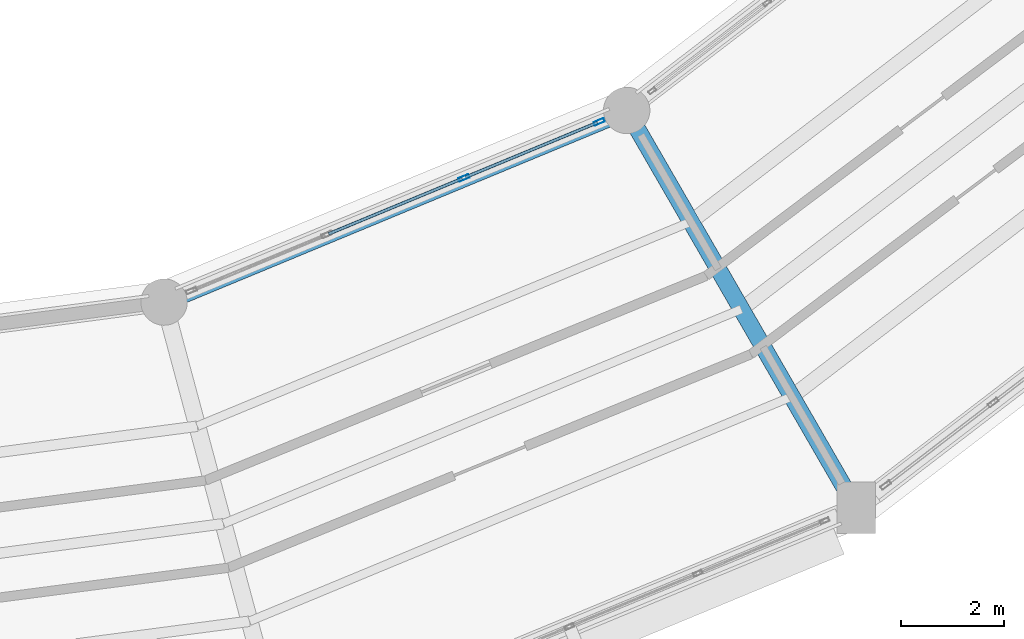
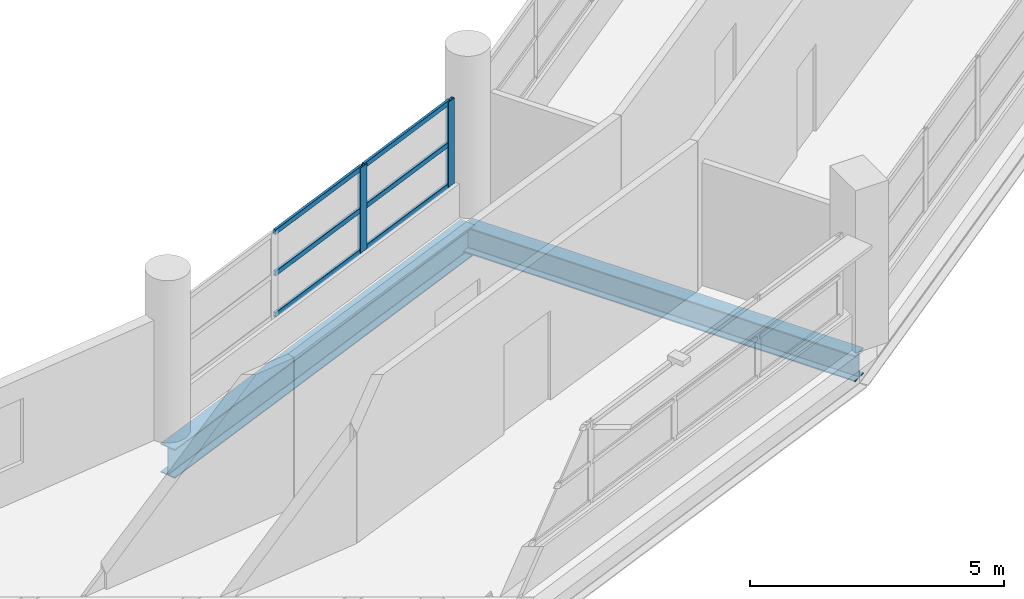
# One storey, part 42 of 108: 8 members, 2 beams, 1 element without a shape of its own.
"""IFC4 building model written with IfcOpenShell, lengths in metres."""

from ifc_helpers import new_model, si_unit, direction, frame, origin, origin_2d, place, context, subcontext, project, spatial, hollow_rectangle, i_section, extrude, material, layer, layer_set, material_profile, profile_set, type_object, element, aggregate, save


model = new_model("IFC4")

# Units and contexts
model_context = context("Model", 3, precision=1e-05, world=origin(), true_north=direction((0.0, 1.0)))
body_context = subcontext(model_context, "Body", "Model", "MODEL_VIEW")
ifc_project = project(units=[si_unit("LENGTHUNIT", "METRE"), si_unit("AREAUNIT", "SQUARE_METRE"), si_unit("VOLUMEUNIT", "CUBIC_METRE"), si_unit("PLANEANGLEUNIT", "RADIAN"), si_unit("MASSUNIT", "GRAM", prefix="KILO")], contexts=[model_context])

# Site, building, storey
site_placement = place(None, origin())
site = spatial("IfcSite", under=ifc_project, at=site_placement, CompositionType="ELEMENT")
building_placement = place(site_placement, origin())
building = spatial("IfcBuilding", under=site, at=building_placement, Name="Vespera Passage Community Centre", CompositionType="ELEMENT")
storey_placement = place(building_placement, frame((0.0, 0.0, 12.60009765625)))
storey = spatial("IfcBuildingStorey", under=building, at=storey_placement, Name="L03", CompositionType="ELEMENT", Elevation=12.60009765625)

# Beams
ifc_material_1 = material(Name="Steel ASTM A992 Grade 50", Category="steel")
ifc_material_profile_1 = material_profile(ifc_material_1, i_section(OverallWidth=0.32763671875, OverallDepth=0.62841796875, WebThickness=0.0166015625, FlangeThickness=0.027587890625, FilletRadius=0.0126953125, at=origin_2d()), Name="W24X146")
ifc_profile_set_1 = profile_set([ifc_material_profile_1], Name="Steel ASTM A992 Grade 50")
beam_type_1 = type_object("IfcBeamType", Name="BM-G-W24X146", PredefinedType="BEAM", material=ifc_profile_set_1)
beam_1_placement = place(storey_placement, frame((96.60009765625, 33.283935546875, -0.71435546875), z_axis=(0.499989191739, -0.866031643847, 0.0), x_axis=(0.866031643847, 0.499989191739, 0.0)))
element("IfcBeam", 1, at=beam_1_placement, inside=storey, type_object=beam_type_1, Name="V4 L03 Radial Girder 20", PredefinedType="BEAM", context=body_context, shape_type="SweptSolid", body=[
    extrude(i_section(OverallWidth=0.32763671875, OverallDepth=0.62841796875, WebThickness=0.0166015625, FlangeThickness=0.027587890625, FilletRadius=0.0126953125, at=origin_2d()), origin(), (0.0, 0.0, 1.0), 8.900146484375),
])
ifc_material_2 = material(Name="Steel ASTM A992 Grade 50", Category="steel")
ifc_material_profile_2 = material_profile(ifc_material_2, i_section(OverallWidth=0.3544921875, OverallDepth=0.695556640625, WebThickness=0.015380859375, FlangeThickness=0.024658203125, FilletRadius=0.01513671875, at=origin_2d()), Name="W27X146")
ifc_profile_set_2 = profile_set([ifc_material_profile_2], Name="Steel ASTM A992 Grade 50")
beam_type_2 = type_object("IfcBeamType", Name="BM-SP-W27X146E", PredefinedType="SPANDREL", material=ifc_profile_set_2)
beam_2_placement = place(storey_placement, frame((87.628173828125, 29.567626953125, -0.747802734375), z_axis=(0.923878947685, 0.382684844258, 0.0), x_axis=(-0.382684844258, 0.923878947685, 0.0)))
element("IfcBeam", 2, at=beam_2_placement, inside=storey, type_object=beam_type_2, Name="V4 L03 Inner Spandrel 19", PredefinedType="SPANDREL", context=body_context, shape_type="SweptSolid", body=[
    extrude(i_section(OverallWidth=0.3544921875, OverallDepth=0.695556640625, WebThickness=0.015380859375, FlangeThickness=0.024658203125, FilletRadius=0.01513671875, at=origin_2d()), origin(), (0.0, 0.0, 1.0), 9.711181640625),
])

# Curtain wall, members
ifc_material_3 = material(Name="Anodized aluminium 6063-T6", Category="aluminium")
ifc_layer = layer(ifc_material_3, 0.159912109375)
ifc_layer_set = layer_set([ifc_layer], Name="Anodized aluminium 6063-T6")
curtain_wall_type = type_object("IfcCurtainWallType", Name="CW-40E", PredefinedType="NOTDEFINED", material=ifc_layer_set)
curtain_wall_placement = place(storey_placement, origin())
curtain_wall = element("IfcCurtainWall", 3, at=curtain_wall_placement, inside=storey, type_object=curtain_wall_type, Name="V4 L03 Inner Court Curtain Wall 19", PredefinedType="NOTDEFINED")
ifc_material_4 = material(Name="Anodized aluminium 6063-T6", Category="aluminium")
ifc_material_profile_3 = material_profile(ifc_material_4, hollow_rectangle(XDim=0.074951171875, YDim=0.2099609375, WallThickness=0.0048828125, InnerFilletRadius=0.00244140625, OuterFilletRadius=0.0048828125, at=origin_2d()), Name="ALU210X75X5")
ifc_profile_set_3 = profile_set([ifc_material_profile_3], Name="Anodized aluminium 6063-T6")
member_type_1 = type_object("IfcMemberType", Name="MB-CWM-210E", PredefinedType="MULLION", material=ifc_profile_set_3)
member_1_placement = place(storey_placement, frame((93.443115234375, 31.976318359375, 0.81982421875), z_axis=(0.0, 0.0, 1.0), x_axis=(-0.382690463482, 0.923876620096, 0.0)))
member_1 = element("IfcMember", 4, at=member_1_placement, type_object=member_type_1, Name="CW-40E mullion 3", PredefinedType="MULLION", context=body_context, shape_type="SweptSolid", body=[
    extrude(hollow_rectangle(XDim=0.074951171875, YDim=0.2099609375, WallThickness=0.0048828125, InnerFilletRadius=0.00244140625, OuterFilletRadius=0.0048828125, at=origin_2d()), origin(), (0.0, 0.0, 1.0), 2.049560546875),
])
member_2_placement = place(storey_placement, frame((96.066650390625, 33.06298828125, 0.81982421875), z_axis=(0.0, 0.0, 1.0), x_axis=(-0.382690463482, 0.923876620096, 0.0)))
member_2 = element("IfcMember", 5, at=member_2_placement, type_object=member_type_1, Name="CW-40E mullion 4", PredefinedType="MULLION", context=body_context, shape_type="SweptSolid", body=[
    extrude(hollow_rectangle(XDim=0.074951171875, YDim=0.2099609375, WallThickness=0.0048828125, InnerFilletRadius=0.00244140625, OuterFilletRadius=0.0048828125, at=origin_2d()), origin(), (0.0, 0.0, 1.0), 2.049560546875),
])
ifc_material_5 = material(Name="Anodized aluminium 6063-T6", Category="aluminium")
ifc_material_profile_4 = material_profile(ifc_material_5, hollow_rectangle(XDim=0.06005859375, YDim=0.1201171875, WallThickness=0.00390625, InnerFilletRadius=0.001953125, OuterFilletRadius=0.00390625, at=origin_2d()), Name="ALU120X60X4")
ifc_profile_set_4 = profile_set([ifc_material_profile_4], Name="Anodized aluminium 6063-T6")
member_type_2 = type_object("IfcMemberType", Name="MB-CWT-120E", PredefinedType="USERDEFINED", material=ifc_profile_set_4)
member_3_placement = place(storey_placement, frame((90.819580078125, 30.8896484375, 0.849853515625), z_axis=(0.923889408399, 0.382659588994, 0.0), x_axis=(-0.382659588994, 0.923889408399, 0.0)))
member_3 = element("IfcMember", 6, at=member_3_placement, type_object=member_type_2, Name="CW-40E transom 2.1", ObjectType="TRANSOM", PredefinedType="USERDEFINED", context=body_context, shape_type="SweptSolid", body=[
    extrude(hollow_rectangle(XDim=0.06005859375, YDim=0.1201171875, WallThickness=0.00390625, InnerFilletRadius=0.001953125, OuterFilletRadius=0.00390625, at=origin_2d()), origin(), (0.0, 0.0, 1.0), 2.80224609375),
])
member_4_placement = place(storey_placement, frame((90.819580078125, 30.8896484375, 1.844482421875), z_axis=(0.923889408399, 0.382659588994, 0.0), x_axis=(-0.382659588994, 0.923889408399, 0.0)))
member_4 = element("IfcMember", 7, at=member_4_placement, type_object=member_type_2, Name="CW-40E transom 2.2", ObjectType="TRANSOM", PredefinedType="USERDEFINED", context=body_context, shape_type="SweptSolid", body=[
    extrude(hollow_rectangle(XDim=0.06005859375, YDim=0.1201171875, WallThickness=0.00390625, InnerFilletRadius=0.001953125, OuterFilletRadius=0.00390625, at=origin_2d()), origin(), (0.0, 0.0, 1.0), 2.80224609375),
])
member_5_placement = place(storey_placement, frame((90.819580078125, 30.8896484375, 2.83935546875), z_axis=(0.923889408399, 0.382659588994, 0.0), x_axis=(-0.382659588994, 0.923889408399, 0.0)))
member_5 = element("IfcMember", 8, at=member_5_placement, type_object=member_type_2, Name="CW-40E transom 2.3", ObjectType="TRANSOM", PredefinedType="USERDEFINED", context=body_context, shape_type="SweptSolid", body=[
    extrude(hollow_rectangle(XDim=0.06005859375, YDim=0.1201171875, WallThickness=0.00390625, InnerFilletRadius=0.001953125, OuterFilletRadius=0.00390625, at=origin_2d()), origin(), (0.0, 0.0, 1.0), 2.80224609375),
])
member_6_placement = place(storey_placement, frame((93.477783203125, 31.99072265625, 0.849853515625), z_axis=(0.923908142805, 0.382614353701, 0.0), x_axis=(-0.382614353701, 0.923908142805, 0.0)))
member_6 = element("IfcMember", 9, at=member_6_placement, type_object=member_type_2, Name="CW-40E transom 3.1", ObjectType="TRANSOM", PredefinedType="USERDEFINED", context=body_context, shape_type="SweptSolid", body=[
    extrude(hollow_rectangle(XDim=0.06005859375, YDim=0.1201171875, WallThickness=0.00390625, InnerFilletRadius=0.001953125, OuterFilletRadius=0.00390625, at=origin_2d()), origin(), (0.0, 0.0, 1.0), 2.764892578125),
])
member_7_placement = place(storey_placement, frame((93.477783203125, 31.99072265625, 1.844482421875), z_axis=(0.923908142805, 0.382614353701, 0.0), x_axis=(-0.382614353701, 0.923908142805, 0.0)))
member_7 = element("IfcMember", 10, at=member_7_placement, type_object=member_type_2, Name="CW-40E transom 3.2", ObjectType="TRANSOM", PredefinedType="USERDEFINED", context=body_context, shape_type="SweptSolid", body=[
    extrude(hollow_rectangle(XDim=0.06005859375, YDim=0.1201171875, WallThickness=0.00390625, InnerFilletRadius=0.001953125, OuterFilletRadius=0.00390625, at=origin_2d()), origin(), (0.0, 0.0, 1.0), 2.764892578125),
])
member_8_placement = place(storey_placement, frame((93.477783203125, 31.99072265625, 2.83935546875), z_axis=(0.923908142805, 0.382614353701, 0.0), x_axis=(-0.382614353701, 0.923908142805, 0.0)))
member_8 = element("IfcMember", 11, at=member_8_placement, type_object=member_type_2, Name="CW-40E transom 3.3", ObjectType="TRANSOM", PredefinedType="USERDEFINED", context=body_context, shape_type="SweptSolid", body=[
    extrude(hollow_rectangle(XDim=0.06005859375, YDim=0.1201171875, WallThickness=0.00390625, InnerFilletRadius=0.001953125, OuterFilletRadius=0.00390625, at=origin_2d()), origin(), (0.0, 0.0, 1.0), 2.764892578125),
])
aggregate(curtain_wall, [member_1, member_2, member_3, member_4, member_5, member_6, member_7, member_8])

save(model, "model.ifc")
